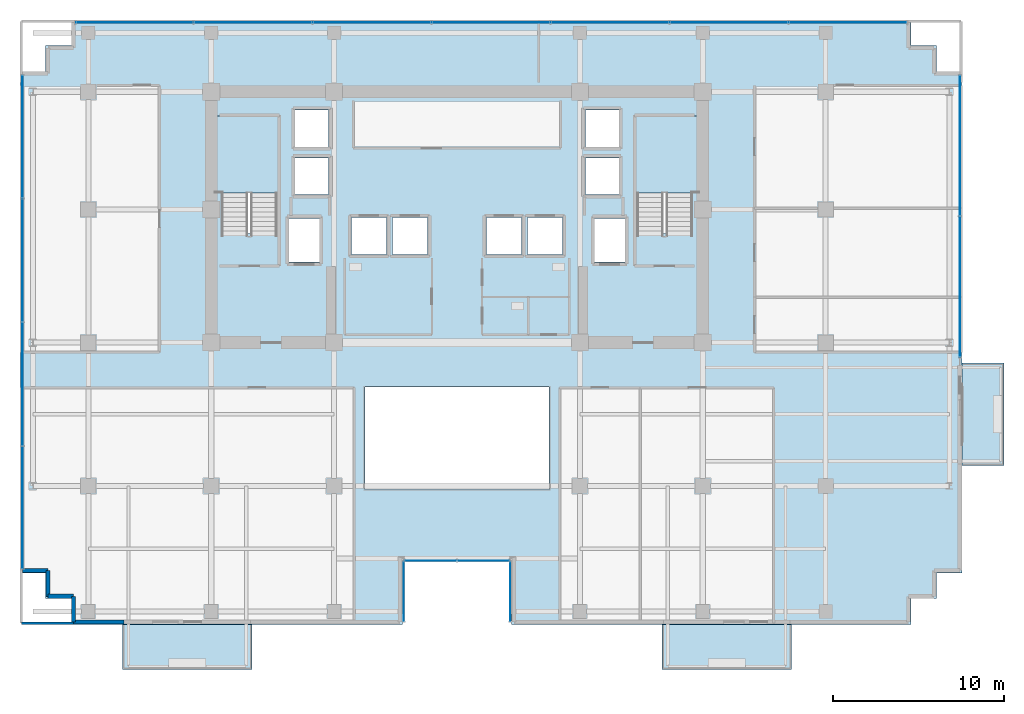
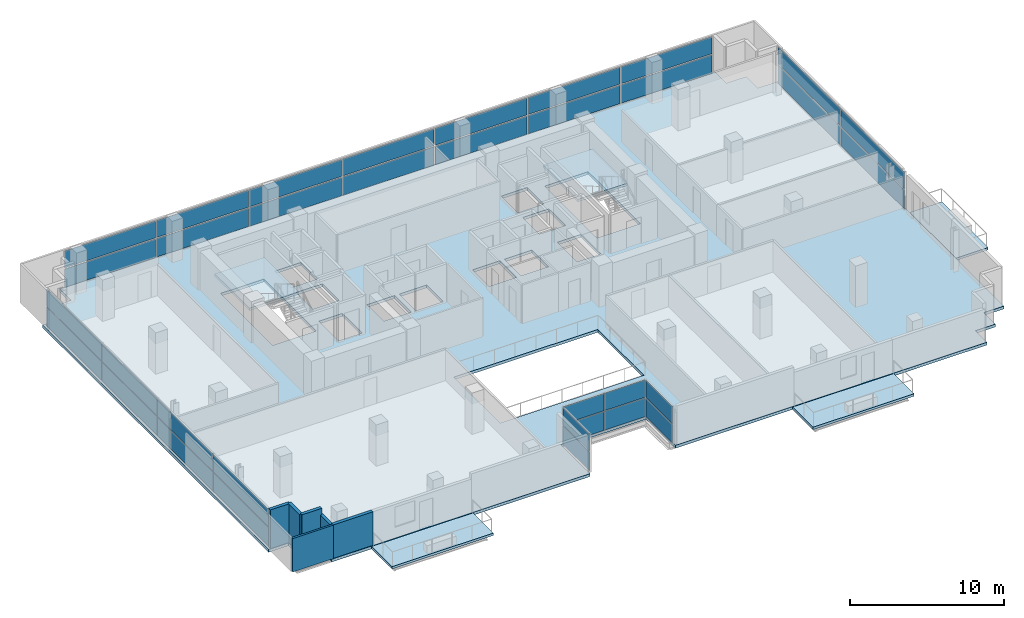
# One storey, part 16 of 25: 34 plates, 6 slabs, 6 walls, 8 elements without a shape of their own.
"""IFC4 building model written with IfcOpenShell, lengths in metres."""

from ifc_helpers import new_model, si_unit, direction, frame, frame_2d, origin, origin_2d, place, context, subcontext, project, spatial, polyline, rectangle, outline, extrude, source, transform, mapped, material, layer, layer_set, type_object, element, aggregate, save


model = new_model("IFC4")

# Units and contexts
model_context = context("Model", 3, precision=1e-05, world=origin(), true_north=direction((0.0, 1.0)))
body_context = subcontext(model_context, "Body", "Model", "MODEL_VIEW")
ifc_project = project(units=[si_unit("LENGTHUNIT", "METRE"), si_unit("AREAUNIT", "SQUARE_METRE"), si_unit("VOLUMEUNIT", "CUBIC_METRE"), si_unit("PLANEANGLEUNIT", "RADIAN"), si_unit("MASSUNIT", "GRAM", prefix="KILO")], contexts=[model_context])

# Site, building, storey
site_placement = place(None, origin())
site = spatial("IfcSite", under=ifc_project, at=site_placement, CompositionType="ELEMENT")
building_placement = place(site_placement, origin())
building = spatial("IfcBuilding", under=site, at=building_placement, Name="Zarnakvel Exchange Tower", CompositionType="ELEMENT")
storey_placement = place(building_placement, frame((0.0, 0.0, 126.39990234375)))
storey = spatial("IfcBuildingStorey", under=building, at=storey_placement, Name="L35", CompositionType="ELEMENT", Elevation=126.39990234375)

# Stair, slab
ifc_material_1 = material(Name="Concrete C40/50", Category="concrete")
stair_type = type_object("IfcStairType", Name="STR-01", PredefinedType="HALF_TURN_STAIR", material=ifc_material_1)
stair_1_placement = place(storey_placement, origin())
stair_1 = element("IfcStair", 1, at=stair_1_placement, inside=storey, type_object=stair_type, Name="L35 Protected Core Exit Stair ST-01", PredefinedType="HALF_TURN_STAIR")
ifc_layer_1 = layer(ifc_material_1, 0.199951171875)
ifc_layer_set_1 = layer_set([ifc_layer_1], Name="Concrete C40/50")
slab_type_1 = type_object("IfcSlabType", Name="LDG-01", PredefinedType="LANDING", material=ifc_layer_set_1)
slab_1_placement = place(storey_placement, frame((0.0, 0.0, 1.4501953125)))
slab_1 = element("IfcSlab", 2, at=slab_1_placement, type_object=slab_type_1, Name="ST-01 landing 1", PredefinedType="LANDING", context=body_context, shape_type="SweptSolid", body=[
    extrude(outline(polyline([(-14.18994140625, 7.570068359375), (-10.4599609375, 7.570068359375), (-10.4599609375, 12.080078125), (-14.18994140625, 12.080078125), (-14.18994140625, 7.570068359375)])), origin(), (0.0, 0.0, 1.0), 0.199951171875),
])
aggregate(stair_1, [slab_1])

stair_2_placement = place(storey_placement, origin())
stair_2 = element("IfcStair", 3, at=stair_2_placement, inside=storey, type_object=stair_type, Name="L35 Protected Core Exit Stair ST-02", PredefinedType="HALF_TURN_STAIR")
slab_2_placement = place(storey_placement, frame((0.0, 0.0, 1.4501953125)))
slab_2 = element("IfcSlab", 4, at=slab_2_placement, type_object=slab_type_1, Name="ST-02 landing 1", PredefinedType="LANDING", context=body_context, shape_type="SweptSolid", body=[
    extrude(outline(polyline([(10.4599609375, 7.570068359375), (14.18994140625, 7.570068359375), (14.18994140625, 12.080078125), (10.4599609375, 12.080078125), (10.4599609375, 7.570068359375)])), origin(), (0.0, 0.0, 1.0), 0.199951171875),
])
aggregate(stair_2, [slab_2])

# Slabs
ifc_layer_2 = layer(ifc_material_1, 0.22509765625)
ifc_layer_set_2 = layer_set([ifc_layer_2], Name="Concrete C40/50")
slab_type_2 = type_object("IfcSlabType", Name="SL-04", PredefinedType="FLOOR", material=ifc_layer_set_2)
slab_3_placement = place(storey_placement, frame((0.0, 0.0, -0.224853515625)))
element("IfcSlab", 5, at=slab_3_placement, inside=storey, type_object=slab_type_2, Name="L35 Primary Structural Floor Slab", PredefinedType="FLOOR", context=body_context, shape_type="SweptSolid", body=[
    extrude(outline(polyline([(-25.60009765625, -14.699951171875), (-24.10009765625, -14.699951171875), (-24.10009765625, -16.199951171875), (-22.60009765625, -16.199951171875), (-22.60009765625, -17.699951171875), (-3.199951171875, -17.699951171875), (-3.199951171875, -13.89990234375), (3.199951171875, -13.89990234375), (3.199951171875, -17.699951171875), (26.60009765625, -17.699951171875), (26.60009765625, -16.199951171875), (28.10009765625, -16.199951171875), (28.10009765625, -14.699951171875), (29.60009765625, -14.699951171875), (29.60009765625, 14.699951171875), (28.10009765625, 14.699951171875), (28.10009765625, 16.199951171875), (26.60009765625, 16.199951171875), (26.60009765625, 17.699951171875), (-22.60009765625, 17.699951171875), (-22.60009765625, 16.199951171875), (-24.10009765625, 16.199951171875), (-24.10009765625, 14.699951171875), (-25.60009765625, 14.699951171875), (-25.60009765625, -14.699951171875)]), holes=[polyline([(-5.39990234375, -9.800048828125), (5.39990234375, -9.800048828125), (5.39990234375, -3.800048828125), (-5.39990234375, -3.800048828125), (-5.39990234375, -9.800048828125)]), polyline([(-13.800048828125, 5.2099609375), (-10.5400390625, 5.2099609375), (-10.5400390625, 12.0), (-13.800048828125, 12.0), (-13.800048828125, 5.2099609375)]), polyline([(10.5400390625, 5.2099609375), (13.800048828125, 5.2099609375), (13.800048828125, 12.0), (10.5400390625, 12.0), (10.5400390625, 5.2099609375)]), polyline([(-9.830078125, 3.52001953125), (-8.070068359375, 3.52001953125), (-8.070068359375, 6.080078125), (-9.830078125, 6.080078125), (-9.830078125, 3.52001953125)]), polyline([(8.070068359375, 3.52001953125), (9.830078125, 3.52001953125), (9.830078125, 6.080078125), (8.070068359375, 6.080078125), (8.070068359375, 3.52001953125)]), polyline([(-6.179931640625, 3.969970703125), (-4.1201171875, 3.969970703125), (-4.1201171875, 6.1298828125), (-6.179931640625, 6.1298828125), (-6.179931640625, 3.969970703125)]), polyline([(-3.780029296875, 3.969970703125), (-1.719970703125, 3.969970703125), (-1.719970703125, 6.1298828125), (-3.780029296875, 6.1298828125), (-3.780029296875, 3.969970703125)]), polyline([(1.719970703125, 3.969970703125), (3.780029296875, 3.969970703125), (3.780029296875, 6.1298828125), (1.719970703125, 6.1298828125), (1.719970703125, 3.969970703125)]), polyline([(4.1201171875, 3.969970703125), (6.179931640625, 3.969970703125), (6.179931640625, 6.1298828125), (4.1201171875, 6.1298828125), (4.1201171875, 3.969970703125)]), polyline([(-9.47998046875, 7.469970703125), (-7.52001953125, 7.469970703125), (-7.52001953125, 9.6298828125), (-9.47998046875, 9.6298828125), (-9.47998046875, 7.469970703125)]), polyline([(-9.47998046875, 10.27001953125), (-7.52001953125, 10.27001953125), (-7.52001953125, 12.429931640625), (-9.47998046875, 12.429931640625), (-9.47998046875, 10.27001953125)]), polyline([(7.52001953125, 7.469970703125), (9.47998046875, 7.469970703125), (9.47998046875, 9.6298828125), (7.52001953125, 9.6298828125), (7.52001953125, 7.469970703125)]), polyline([(7.52001953125, 10.27001953125), (9.47998046875, 10.27001953125), (9.47998046875, 12.429931640625), (7.52001953125, 12.429931640625), (7.52001953125, 10.27001953125)])]), origin(), (0.0, 0.0, 1.0), 0.224853515625),
])
ifc_layer_3 = layer(ifc_material_1, 0.18994140625)
ifc_layer_set_3 = layer_set([ifc_layer_3], Name="Concrete C40/50")
slab_type_3 = type_object("IfcSlabType", Name="SL-08", PredefinedType="USERDEFINED", material=ifc_layer_set_3)
slab_4_placement = place(storey_placement, frame((0.0, 0.0, -0.224853515625)))
element("IfcSlab", 6, at=slab_4_placement, inside=storey, type_object=slab_type_3, Name="L35 Planted Loggia Balcony Slab BAL-L35-SW", ObjectType="BALCONY", PredefinedType="USERDEFINED", context=body_context, shape_type="SweptSolid", body=[
    extrude(outline(polyline([(-19.60009765625, -20.35009765625), (-12.0, -20.35009765625), (-12.0, -17.699951171875), (-19.60009765625, -17.699951171875), (-19.60009765625, -20.35009765625)])), origin(), (0.0, 0.0, 1.0), 0.18994140625),
])
slab_5_placement = place(storey_placement, frame((0.0, 0.0, -0.224853515625)))
element("IfcSlab", 7, at=slab_5_placement, inside=storey, type_object=slab_type_3, Name="L35 Planted Loggia Balcony Slab BAL-L35-SE", ObjectType="BALCONY", PredefinedType="USERDEFINED", context=body_context, shape_type="SweptSolid", body=[
    extrude(outline(polyline([(12.0, -20.35009765625), (19.60009765625, -20.35009765625), (19.60009765625, -17.699951171875), (12.0, -17.699951171875), (12.0, -20.35009765625)])), origin(), (0.0, 0.0, 1.0), 0.18994140625),
])
slab_6_placement = place(storey_placement, frame((0.0, 0.0, -0.224853515625)))
element("IfcSlab", 8, at=slab_6_placement, inside=storey, type_object=slab_type_3, Name="L35 Planted Loggia Balcony Slab BAL-L35-E", ObjectType="BALCONY", PredefinedType="USERDEFINED", context=body_context, shape_type="SweptSolid", body=[
    extrude(outline(polyline([(29.60009765625, -8.39990234375), (32.050048828125, -8.39990234375), (32.050048828125, -2.39990234375), (29.60009765625, -2.39990234375), (29.60009765625, -8.39990234375)])), origin(), (0.0, 0.0, 1.0), 0.18994140625),
])

# Curtain wall, plate
ifc_material_2 = material(Name="Architectural Bronze Anodised Aluminium", Category="aluminium")
ifc_layer_4 = layer(ifc_material_2, 0.179931640625)
ifc_layer_set_4 = layer_set([ifc_layer_4], Name="Architectural Bronze Anodised Aluminium")
curtain_wall_type_1 = type_object("IfcCurtainWallType", Name="CW-05", PredefinedType="NOTDEFINED", material=ifc_layer_set_4)
curtain_wall_1_placement = place(storey_placement, origin())
curtain_wall_1 = element("IfcCurtainWall", 9, at=curtain_wall_1_placement, inside=storey, type_object=curtain_wall_type_1, Name="L35 Curtain Wall CW-L35-SLW (CW-05)", PredefinedType="NOTDEFINED")
ifc_material_3 = material(Name="Double Low-E Laminated Vision Glass", Category="glass")
ifc_layer_5 = layer(ifc_material_3, 0.02587890625)
ifc_layer_set_5 = layer_set([ifc_layer_5], Name="Double Low-E Laminated Vision Glass")
plate_type_1 = type_object("IfcPlateType", Name="CWP-05", PredefinedType="CURTAIN_PANEL", material=ifc_layer_set_5)
shared_shape_1 = source(origin(), body_context, "Body", "SweptSolid", [
    extrude(rectangle(XDim=3.4599609375, YDim=0.02587890625, at=origin_2d()), origin(), (0.0, 0.0, 1.0), 1.483642578125),
])
plate_1_placement = place(storey_placement, frame((-3.1201171875, -15.780029296875, 0.0703125), z_axis=(0.0, 0.0, 1.0), x_axis=(0.0, 1.0, 0.0)))
plate_1 = element("IfcPlate", 10, at=plate_1_placement, type_object=plate_type_1, Name="CW-05 panel 1.1", PredefinedType="CURTAIN_PANEL", context=body_context, shape_type="MappedRepresentation", body=[
    mapped(shared_shape_1, transform((0.0, 0.0, 0.0), x_axis=(1.0, 0.0, 0.0), y_axis=(0.0, 1.0, 0.0), z_axis=(0.0, 0.0, 1.0), scale=1.0)),
])

curtain_wall_2_placement = place(storey_placement, origin())
curtain_wall_2 = element("IfcCurtainWall", 11, at=curtain_wall_2_placement, inside=storey, type_object=curtain_wall_type_1, Name="L35 Curtain Wall CW-L35-SLE (CW-05)", PredefinedType="NOTDEFINED")
plate_2_placement = place(storey_placement, frame((3.1201171875, -15.780029296875, 0.0703125), z_axis=(0.0, 0.0, 1.0), x_axis=(0.0, -1.0, 0.0)))
plate_2 = element("IfcPlate", 12, at=plate_2_placement, type_object=plate_type_1, Name="CW-05 panel 1.1", PredefinedType="CURTAIN_PANEL", context=body_context, shape_type="MappedRepresentation", body=[
    mapped(shared_shape_1, transform((0.0, 0.0, 0.0), x_axis=(1.0, 0.0, 0.0), y_axis=(0.0, 1.0, 0.0), z_axis=(0.0, 0.0, 1.0), scale=1.0)),
])

# Plate
shared_shape_2 = source(origin(), body_context, "Body", "SweptSolid", [
    extrude(rectangle(XDim=3.4599609375, YDim=0.02587890625, at=origin_2d()), origin(), (0.0, 0.0, 1.0), 1.361328125),
])
plate_3_placement = place(storey_placement, frame((-3.1201171875, -15.780029296875, 1.623779296875), z_axis=(0.0, 0.0, 1.0), x_axis=(0.0, 1.0, 0.0)))
plate_3 = element("IfcPlate", 13, at=plate_3_placement, type_object=plate_type_1, Name="CW-05 panel 1.2", PredefinedType="CURTAIN_PANEL", context=body_context, shape_type="MappedRepresentation", body=[
    mapped(shared_shape_2, transform((0.0, 0.0, 0.0), x_axis=(1.0, 0.0, 0.0), y_axis=(0.0, 1.0, 0.0), z_axis=(0.0, 0.0, 1.0), scale=1.0)),
])

aggregate(curtain_wall_1, [plate_1, plate_3])

plate_4_placement = place(storey_placement, frame((3.1201171875, -15.780029296875, 1.623779296875), z_axis=(0.0, 0.0, 1.0), x_axis=(0.0, -1.0, 0.0)))
plate_4 = element("IfcPlate", 14, at=plate_4_placement, type_object=plate_type_1, Name="CW-05 panel 1.2", PredefinedType="CURTAIN_PANEL", context=body_context, shape_type="MappedRepresentation", body=[
    mapped(shared_shape_2, transform((0.0, 0.0, 0.0), x_axis=(1.0, 0.0, 0.0), y_axis=(0.0, 1.0, 0.0), z_axis=(0.0, 0.0, 1.0), scale=1.0)),
])

aggregate(curtain_wall_2, [plate_2, plate_4])

# Curtain wall, plates
curtain_wall_3_placement = place(storey_placement, origin())
curtain_wall_3 = element("IfcCurtainWall", 15, at=curtain_wall_3_placement, inside=storey, type_object=curtain_wall_type_1, Name="L35 Curtain Wall CW-L35-SLB (CW-05)", PredefinedType="NOTDEFINED")
shared_shape_3 = source(origin(), body_context, "Body", "SweptSolid", [
    extrude(rectangle(XDim=3.014892578125, YDim=0.02587890625, at=origin_2d()), origin(), (0.0, 0.0, 1.0), 1.483642578125),
])
plate_5_placement = place(storey_placement, frame((-1.54248046875, -13.97998046875, 0.0703125), z_axis=(0.0, 0.0, 1.0), x_axis=(1.0, 0.0, 0.0)))
plate_5 = element("IfcPlate", 16, at=plate_5_placement, type_object=plate_type_1, Name="CW-05 panel 1.1", PredefinedType="CURTAIN_PANEL", context=body_context, shape_type="MappedRepresentation", body=[
    mapped(shared_shape_3, transform((0.0, 0.0, 0.0), x_axis=(1.0, 0.0, 0.0), y_axis=(0.0, 1.0, 0.0), z_axis=(0.0, 0.0, 1.0), scale=1.0)),
])
plate_6_placement = place(storey_placement, frame((1.54248046875, -13.97998046875, 0.0703125), z_axis=(0.0, 0.0, 1.0), x_axis=(1.0, 0.0, 0.0)))
plate_6 = element("IfcPlate", 17, at=plate_6_placement, type_object=plate_type_1, Name="CW-05 panel 2.1", PredefinedType="CURTAIN_PANEL", context=body_context, shape_type="MappedRepresentation", body=[
    mapped(shared_shape_3, transform((0.0, 0.0, 0.0), x_axis=(1.0, 0.0, 0.0), y_axis=(0.0, 1.0, 0.0), z_axis=(0.0, 0.0, 1.0), scale=1.0)),
])
shared_shape_4 = source(origin(), body_context, "Body", "SweptSolid", [
    extrude(rectangle(XDim=3.014892578125, YDim=0.02587890625, at=origin_2d()), origin(), (0.0, 0.0, 1.0), 1.361328125),
])
plate_7_placement = place(storey_placement, frame((-1.54248046875, -13.97998046875, 1.623779296875), z_axis=(0.0, 0.0, 1.0), x_axis=(1.0, 0.0, 0.0)))
plate_7 = element("IfcPlate", 18, at=plate_7_placement, type_object=plate_type_1, Name="CW-05 panel 1.2", PredefinedType="CURTAIN_PANEL", context=body_context, shape_type="MappedRepresentation", body=[
    mapped(shared_shape_4, transform((0.0, 0.0, 0.0), x_axis=(1.0, 0.0, 0.0), y_axis=(0.0, 1.0, 0.0), z_axis=(0.0, 0.0, 1.0), scale=1.0)),
])
plate_8_placement = place(storey_placement, frame((1.54248046875, -13.97998046875, 1.623779296875), z_axis=(0.0, 0.0, 1.0), x_axis=(1.0, 0.0, 0.0)))
plate_8 = element("IfcPlate", 19, at=plate_8_placement, type_object=plate_type_1, Name="CW-05 panel 2.2", PredefinedType="CURTAIN_PANEL", context=body_context, shape_type="MappedRepresentation", body=[
    mapped(shared_shape_4, transform((0.0, 0.0, 0.0), x_axis=(1.0, 0.0, 0.0), y_axis=(0.0, 1.0, 0.0), z_axis=(0.0, 0.0, 1.0), scale=1.0)),
])
aggregate(curtain_wall_3, [plate_5, plate_7, plate_6, plate_8])

ifc_layer_6 = layer(ifc_material_2, 0.199951171875)
ifc_layer_set_6 = layer_set([ifc_layer_6], Name="Architectural Bronze Anodised Aluminium")
curtain_wall_type_2 = type_object("IfcCurtainWallType", Name="CW-04", PredefinedType="NOTDEFINED", material=ifc_layer_set_6)
curtain_wall_4_placement = place(storey_placement, origin())
curtain_wall_4 = element("IfcCurtainWall", 20, at=curtain_wall_4_placement, inside=storey, type_object=curtain_wall_type_2, Name="L35 Curtain Wall CW-L35-W1 (CW-04)", PredefinedType="NOTDEFINED")
ifc_layer_7 = layer(ifc_material_3, 0.028076171875)
ifc_layer_set_7 = layer_set([ifc_layer_7], Name="Double Low-E Laminated Vision Glass")
plate_type_2 = type_object("IfcPlateType", Name="CWP-04", PredefinedType="CURTAIN_PANEL", material=ifc_layer_set_7)
shared_shape_5 = source(origin(), body_context, "Body", "SweptSolid", [
    extrude(rectangle(XDim=7.137451171875, YDim=0.028076171875, at=origin_2d()), origin(), (0.0, 0.0, 1.0), 1.47607421875),
])
plate_9_placement = place(storey_placement, frame((-25.4599609375, -10.856201171875, 0.0751953125), z_axis=(0.0, 0.0, 1.0), x_axis=(0.0, 1.0, 0.0)))
plate_9 = element("IfcPlate", 21, at=plate_9_placement, type_object=plate_type_2, Name="CW-04 panel 1.1", PredefinedType="CURTAIN_PANEL", context=body_context, shape_type="MappedRepresentation", body=[
    mapped(shared_shape_5, transform((0.0, 0.0, 0.0), x_axis=(1.0, 0.0, 0.0), y_axis=(0.0, 1.0, 0.0), z_axis=(0.0, 0.0, 1.0), scale=1.0)),
])
plate_10_placement = place(storey_placement, frame((-25.4599609375, 10.856201171875, 0.0751953125), z_axis=(0.0, 0.0, 1.0), x_axis=(0.0, 1.0, 0.0)))
plate_10 = element("IfcPlate", 22, at=plate_10_placement, type_object=plate_type_2, Name="CW-04 panel 4.1", PredefinedType="CURTAIN_PANEL", context=body_context, shape_type="MappedRepresentation", body=[
    mapped(shared_shape_5, transform((0.0, 0.0, 0.0), x_axis=(1.0, 0.0, 0.0), y_axis=(0.0, 1.0, 0.0), z_axis=(0.0, 0.0, 1.0), scale=1.0)),
])
shared_shape_6 = source(origin(), body_context, "Body", "SweptSolid", [
    extrude(rectangle(XDim=7.137451171875, YDim=0.028076171875, at=origin_2d()), origin(), (0.0, 0.0, 1.0), 1.35400390625),
])
plate_11_placement = place(storey_placement, frame((-25.4599609375, -10.856201171875, 1.626220703125), z_axis=(0.0, 0.0, 1.0), x_axis=(0.0, 1.0, 0.0)))
plate_11 = element("IfcPlate", 23, at=plate_11_placement, type_object=plate_type_2, Name="CW-04 panel 1.2", PredefinedType="CURTAIN_PANEL", context=body_context, shape_type="MappedRepresentation", body=[
    mapped(shared_shape_6, transform((0.0, 0.0, 0.0), x_axis=(1.0, 0.0, 0.0), y_axis=(0.0, 1.0, 0.0), z_axis=(0.0, 0.0, 1.0), scale=1.0)),
])
plate_12_placement = place(storey_placement, frame((-25.4599609375, 10.856201171875, 1.626220703125), z_axis=(0.0, 0.0, 1.0), x_axis=(0.0, 1.0, 0.0)))
plate_12 = element("IfcPlate", 24, at=plate_12_placement, type_object=plate_type_2, Name="CW-04 panel 4.2", PredefinedType="CURTAIN_PANEL", context=body_context, shape_type="MappedRepresentation", body=[
    mapped(shared_shape_6, transform((0.0, 0.0, 0.0), x_axis=(1.0, 0.0, 0.0), y_axis=(0.0, 1.0, 0.0), z_axis=(0.0, 0.0, 1.0), scale=1.0)),
])
shared_shape_7 = source(origin(), body_context, "Body", "SweptSolid", [
    extrude(rectangle(XDim=7.175048828125, YDim=0.028076171875, at=origin_2d()), origin(), (0.0, 0.0, 1.0), 1.47607421875),
])
plate_13_placement = place(storey_placement, frame((-25.4599609375, -3.625, 0.0751953125), z_axis=(0.0, 0.0, 1.0), x_axis=(0.0, 1.0, 0.0)))
plate_13 = element("IfcPlate", 25, at=plate_13_placement, type_object=plate_type_2, Name="CW-04 panel 2.1", PredefinedType="CURTAIN_PANEL", context=body_context, shape_type="MappedRepresentation", body=[
    mapped(shared_shape_7, transform((0.0, 0.0, 0.0), x_axis=(1.0, 0.0, 0.0), y_axis=(0.0, 1.0, 0.0), z_axis=(0.0, 0.0, 1.0), scale=1.0)),
])
plate_14_placement = place(storey_placement, frame((-25.4599609375, 3.625, 0.0751953125), z_axis=(0.0, 0.0, 1.0), x_axis=(0.0, 1.0, 0.0)))
plate_14 = element("IfcPlate", 26, at=plate_14_placement, type_object=plate_type_2, Name="CW-04 panel 3.1", PredefinedType="CURTAIN_PANEL", context=body_context, shape_type="MappedRepresentation", body=[
    mapped(shared_shape_7, transform((0.0, 0.0, 0.0), x_axis=(1.0, 0.0, 0.0), y_axis=(0.0, 1.0, 0.0), z_axis=(0.0, 0.0, 1.0), scale=1.0)),
])
shared_shape_8 = source(origin(), body_context, "Body", "SweptSolid", [
    extrude(rectangle(XDim=7.175048828125, YDim=0.028076171875, at=origin_2d()), origin(), (0.0, 0.0, 1.0), 1.35400390625),
])
plate_15_placement = place(storey_placement, frame((-25.4599609375, -3.625, 1.626220703125), z_axis=(0.0, 0.0, 1.0), x_axis=(0.0, 1.0, 0.0)))
plate_15 = element("IfcPlate", 27, at=plate_15_placement, type_object=plate_type_2, Name="CW-04 panel 2.2", PredefinedType="CURTAIN_PANEL", context=body_context, shape_type="MappedRepresentation", body=[
    mapped(shared_shape_8, transform((0.0, 0.0, 0.0), x_axis=(1.0, 0.0, 0.0), y_axis=(0.0, 1.0, 0.0), z_axis=(0.0, 0.0, 1.0), scale=1.0)),
])
plate_16_placement = place(storey_placement, frame((-25.4599609375, 3.625, 1.626220703125), z_axis=(0.0, 0.0, 1.0), x_axis=(0.0, 1.0, 0.0)))
plate_16 = element("IfcPlate", 28, at=plate_16_placement, type_object=plate_type_2, Name="CW-04 panel 3.2", PredefinedType="CURTAIN_PANEL", context=body_context, shape_type="MappedRepresentation", body=[
    mapped(shared_shape_8, transform((0.0, 0.0, 0.0), x_axis=(1.0, 0.0, 0.0), y_axis=(0.0, 1.0, 0.0), z_axis=(0.0, 0.0, 1.0), scale=1.0)),
])
aggregate(curtain_wall_4, [plate_9, plate_11, plate_13, plate_15, plate_14, plate_16, plate_10, plate_12])

curtain_wall_5_placement = place(storey_placement, origin())
curtain_wall_5 = element("IfcCurtainWall", 29, at=curtain_wall_5_placement, inside=storey, type_object=curtain_wall_type_2, Name="L35 Curtain Wall CW-L35-EN (CW-04)", PredefinedType="NOTDEFINED")
shared_shape_9 = source(origin(), body_context, "Body", "SweptSolid", [
    extrude(rectangle(XDim=8.1875, YDim=0.028076171875, at=origin_2d()), origin(), (0.0, 0.0, 1.0), 1.47607421875),
])
plate_17_placement = place(storey_placement, frame((29.4599609375, 2.06884765625, 0.0751953125), z_axis=(0.0, 0.0, 1.0), x_axis=(0.0, 1.0, 0.0)))
plate_17 = element("IfcPlate", 30, at=plate_17_placement, type_object=plate_type_2, Name="CW-04 panel 1.1", PredefinedType="CURTAIN_PANEL", context=body_context, shape_type="MappedRepresentation", body=[
    mapped(shared_shape_9, transform((0.0, 0.0, 0.0), x_axis=(1.0, 0.0, 0.0), y_axis=(0.0, 1.0, 0.0), z_axis=(0.0, 0.0, 1.0), scale=1.0)),
])
plate_18_placement = place(storey_placement, frame((29.4599609375, 10.331298828125, 0.0751953125), z_axis=(0.0, 0.0, 1.0), x_axis=(0.0, 1.0, 0.0)))
plate_18 = element("IfcPlate", 31, at=plate_18_placement, type_object=plate_type_2, Name="CW-04 panel 2.1", PredefinedType="CURTAIN_PANEL", context=body_context, shape_type="MappedRepresentation", body=[
    mapped(shared_shape_9, transform((0.0, 0.0, 0.0), x_axis=(1.0, 0.0, 0.0), y_axis=(0.0, 1.0, 0.0), z_axis=(0.0, 0.0, 1.0), scale=1.0)),
])
shared_shape_10 = source(origin(), body_context, "Body", "SweptSolid", [
    extrude(rectangle(XDim=8.1875, YDim=0.028076171875, at=origin_2d()), origin(), (0.0, 0.0, 1.0), 1.35400390625),
])
plate_19_placement = place(storey_placement, frame((29.4599609375, 2.06884765625, 1.626220703125), z_axis=(0.0, 0.0, 1.0), x_axis=(0.0, 1.0, 0.0)))
plate_19 = element("IfcPlate", 32, at=plate_19_placement, type_object=plate_type_2, Name="CW-04 panel 1.2", PredefinedType="CURTAIN_PANEL", context=body_context, shape_type="MappedRepresentation", body=[
    mapped(shared_shape_10, transform((0.0, 0.0, 0.0), x_axis=(1.0, 0.0, 0.0), y_axis=(0.0, 1.0, 0.0), z_axis=(0.0, 0.0, 1.0), scale=1.0)),
])
plate_20_placement = place(storey_placement, frame((29.4599609375, 10.331298828125, 1.626220703125), z_axis=(0.0, 0.0, 1.0), x_axis=(0.0, 1.0, 0.0)))
plate_20 = element("IfcPlate", 33, at=plate_20_placement, type_object=plate_type_2, Name="CW-04 panel 2.2", PredefinedType="CURTAIN_PANEL", context=body_context, shape_type="MappedRepresentation", body=[
    mapped(shared_shape_10, transform((0.0, 0.0, 0.0), x_axis=(1.0, 0.0, 0.0), y_axis=(0.0, 1.0, 0.0), z_axis=(0.0, 0.0, 1.0), scale=1.0)),
])
aggregate(curtain_wall_5, [plate_17, plate_19, plate_18, plate_20])

ifc_layer_8 = layer(ifc_material_2, 0.239990234375)
ifc_layer_set_8 = layer_set([ifc_layer_8], Name="Architectural Bronze Anodised Aluminium")
curtain_wall_type_3 = type_object("IfcCurtainWallType", Name="CW-02", PredefinedType="NOTDEFINED", material=ifc_layer_set_8)
curtain_wall_6_placement = place(storey_placement, origin())
curtain_wall_6 = element("IfcCurtainWall", 34, at=curtain_wall_6_placement, inside=storey, type_object=curtain_wall_type_3, Name="L35 Curtain Wall CW-L35-N1 (CW-02)", PredefinedType="NOTDEFINED")
ifc_layer_9 = layer(ifc_material_3, 0.031982421875)
ifc_layer_set_9 = layer_set([ifc_layer_9], Name="Double Low-E Laminated Vision Glass")
plate_type_3 = type_object("IfcPlateType", Name="CWP-02", PredefinedType="CURTAIN_PANEL", material=ifc_layer_set_9)
shared_shape_11 = source(origin(), body_context, "Body", "SweptSolid", [
    extrude(rectangle(XDim=6.83642578125, YDim=0.031982421875, at=origin_2d()), origin(), (0.0, 0.0, 1.0), 1.461181640625),
])
plate_21_placement = place(storey_placement, frame((-18.891845703125, 17.56005859375, 0.0849609375), z_axis=(0.0, 0.0, 1.0), x_axis=(1.0, 0.0, 0.0)))
plate_21 = element("IfcPlate", 35, at=plate_21_placement, type_object=plate_type_3, Name="CW-02 panel 1.1", PredefinedType="CURTAIN_PANEL", context=body_context, shape_type="MappedRepresentation", body=[
    mapped(shared_shape_11, transform((0.0, 0.0, 0.0), x_axis=(1.0, 0.0, 0.0), y_axis=(0.0, 1.0, 0.0), z_axis=(0.0, 0.0, 1.0), scale=1.0)),
])
plate_22_placement = place(storey_placement, frame((22.891845703125, 17.56005859375, 0.0849609375), z_axis=(0.0, 0.0, 1.0), x_axis=(1.0, 0.0, 0.0)))
plate_22 = element("IfcPlate", 36, at=plate_22_placement, type_object=plate_type_3, Name="CW-02 panel 7.1", PredefinedType="CURTAIN_PANEL", context=body_context, shape_type="MappedRepresentation", body=[
    mapped(shared_shape_11, transform((0.0, 0.0, 0.0), x_axis=(1.0, 0.0, 0.0), y_axis=(0.0, 1.0, 0.0), z_axis=(0.0, 0.0, 1.0), scale=1.0)),
])
shared_shape_12 = source(origin(), body_context, "Body", "SweptSolid", [
    extrude(rectangle(XDim=6.83642578125, YDim=0.031982421875, at=origin_2d()), origin(), (0.0, 0.0, 1.0), 1.3388671875),
])
plate_23_placement = place(storey_placement, frame((-18.891845703125, 17.56005859375, 1.631103515625), z_axis=(0.0, 0.0, 1.0), x_axis=(1.0, 0.0, 0.0)))
plate_23 = element("IfcPlate", 37, at=plate_23_placement, type_object=plate_type_3, Name="CW-02 panel 1.2", PredefinedType="CURTAIN_PANEL", context=body_context, shape_type="MappedRepresentation", body=[
    mapped(shared_shape_12, transform((0.0, 0.0, 0.0), x_axis=(1.0, 0.0, 0.0), y_axis=(0.0, 1.0, 0.0), z_axis=(0.0, 0.0, 1.0), scale=1.0)),
])
plate_24_placement = place(storey_placement, frame((22.891845703125, 17.56005859375, 1.631103515625), z_axis=(0.0, 0.0, 1.0), x_axis=(1.0, 0.0, 0.0)))
plate_24 = element("IfcPlate", 38, at=plate_24_placement, type_object=plate_type_3, Name="CW-02 panel 7.2", PredefinedType="CURTAIN_PANEL", context=body_context, shape_type="MappedRepresentation", body=[
    mapped(shared_shape_12, transform((0.0, 0.0, 0.0), x_axis=(1.0, 0.0, 0.0), y_axis=(0.0, 1.0, 0.0), z_axis=(0.0, 0.0, 1.0), scale=1.0)),
])
shared_shape_13 = source(origin(), body_context, "Body", "SweptSolid", [
    extrude(rectangle(XDim=6.88134765625, YDim=0.031982421875, at=origin_2d()), origin(), (0.0, 0.0, 1.0), 1.461181640625),
])
plate_25_placement = place(storey_placement, frame((-11.94287109375, 17.56005859375, 0.0849609375), z_axis=(0.0, 0.0, 1.0), x_axis=(1.0, 0.0, 0.0)))
plate_25 = element("IfcPlate", 39, at=plate_25_placement, type_object=plate_type_3, Name="CW-02 panel 2.1", PredefinedType="CURTAIN_PANEL", context=body_context, shape_type="MappedRepresentation", body=[
    mapped(shared_shape_13, transform((0.0, 0.0, 0.0), x_axis=(1.0, 0.0, 0.0), y_axis=(0.0, 1.0, 0.0), z_axis=(0.0, 0.0, 1.0), scale=1.0)),
])
plate_26_placement = place(storey_placement, frame((-4.971435546875, 17.56005859375, 0.0849609375), z_axis=(0.0, 0.0, 1.0), x_axis=(1.0, 0.0, 0.0)))
plate_26 = element("IfcPlate", 40, at=plate_26_placement, type_object=plate_type_3, Name="CW-02 panel 3.1", PredefinedType="CURTAIN_PANEL", context=body_context, shape_type="MappedRepresentation", body=[
    mapped(shared_shape_13, transform((0.0, 0.0, 0.0), x_axis=(1.0, 0.0, 0.0), y_axis=(0.0, 1.0, 0.0), z_axis=(0.0, 0.0, 1.0), scale=1.0)),
])
plate_27_placement = place(storey_placement, frame((2.0, 17.56005859375, 0.0849609375), z_axis=(0.0, 0.0, 1.0), x_axis=(1.0, 0.0, 0.0)))
plate_27 = element("IfcPlate", 41, at=plate_27_placement, type_object=plate_type_3, Name="CW-02 panel 4.1", PredefinedType="CURTAIN_PANEL", context=body_context, shape_type="MappedRepresentation", body=[
    mapped(shared_shape_13, transform((0.0, 0.0, 0.0), x_axis=(1.0, 0.0, 0.0), y_axis=(0.0, 1.0, 0.0), z_axis=(0.0, 0.0, 1.0), scale=1.0)),
])
plate_28_placement = place(storey_placement, frame((8.971435546875, 17.56005859375, 0.0849609375), z_axis=(0.0, 0.0, 1.0), x_axis=(1.0, 0.0, 0.0)))
plate_28 = element("IfcPlate", 42, at=plate_28_placement, type_object=plate_type_3, Name="CW-02 panel 5.1", PredefinedType="CURTAIN_PANEL", context=body_context, shape_type="MappedRepresentation", body=[
    mapped(shared_shape_13, transform((0.0, 0.0, 0.0), x_axis=(1.0, 0.0, 0.0), y_axis=(0.0, 1.0, 0.0), z_axis=(0.0, 0.0, 1.0), scale=1.0)),
])
plate_29_placement = place(storey_placement, frame((15.94287109375, 17.56005859375, 0.0849609375), z_axis=(0.0, 0.0, 1.0), x_axis=(1.0, 0.0, 0.0)))
plate_29 = element("IfcPlate", 43, at=plate_29_placement, type_object=plate_type_3, Name="CW-02 panel 6.1", PredefinedType="CURTAIN_PANEL", context=body_context, shape_type="MappedRepresentation", body=[
    mapped(shared_shape_13, transform((0.0, 0.0, 0.0), x_axis=(1.0, 0.0, 0.0), y_axis=(0.0, 1.0, 0.0), z_axis=(0.0, 0.0, 1.0), scale=1.0)),
])
shared_shape_14 = source(origin(), body_context, "Body", "SweptSolid", [
    extrude(rectangle(XDim=6.88134765625, YDim=0.031982421875, at=origin_2d()), origin(), (0.0, 0.0, 1.0), 1.3388671875),
])
plate_30_placement = place(storey_placement, frame((-11.94287109375, 17.56005859375, 1.631103515625), z_axis=(0.0, 0.0, 1.0), x_axis=(1.0, 0.0, 0.0)))
plate_30 = element("IfcPlate", 44, at=plate_30_placement, type_object=plate_type_3, Name="CW-02 panel 2.2", PredefinedType="CURTAIN_PANEL", context=body_context, shape_type="MappedRepresentation", body=[
    mapped(shared_shape_14, transform((0.0, 0.0, 0.0), x_axis=(1.0, 0.0, 0.0), y_axis=(0.0, 1.0, 0.0), z_axis=(0.0, 0.0, 1.0), scale=1.0)),
])
plate_31_placement = place(storey_placement, frame((-4.971435546875, 17.56005859375, 1.631103515625), z_axis=(0.0, 0.0, 1.0), x_axis=(1.0, 0.0, 0.0)))
plate_31 = element("IfcPlate", 45, at=plate_31_placement, type_object=plate_type_3, Name="CW-02 panel 3.2", PredefinedType="CURTAIN_PANEL", context=body_context, shape_type="MappedRepresentation", body=[
    mapped(shared_shape_14, transform((0.0, 0.0, 0.0), x_axis=(1.0, 0.0, 0.0), y_axis=(0.0, 1.0, 0.0), z_axis=(0.0, 0.0, 1.0), scale=1.0)),
])
plate_32_placement = place(storey_placement, frame((2.0, 17.56005859375, 1.631103515625), z_axis=(0.0, 0.0, 1.0), x_axis=(1.0, 0.0, 0.0)))
plate_32 = element("IfcPlate", 46, at=plate_32_placement, type_object=plate_type_3, Name="CW-02 panel 4.2", PredefinedType="CURTAIN_PANEL", context=body_context, shape_type="MappedRepresentation", body=[
    mapped(shared_shape_14, transform((0.0, 0.0, 0.0), x_axis=(1.0, 0.0, 0.0), y_axis=(0.0, 1.0, 0.0), z_axis=(0.0, 0.0, 1.0), scale=1.0)),
])
plate_33_placement = place(storey_placement, frame((8.971435546875, 17.56005859375, 1.631103515625), z_axis=(0.0, 0.0, 1.0), x_axis=(1.0, 0.0, 0.0)))
plate_33 = element("IfcPlate", 47, at=plate_33_placement, type_object=plate_type_3, Name="CW-02 panel 5.2", PredefinedType="CURTAIN_PANEL", context=body_context, shape_type="MappedRepresentation", body=[
    mapped(shared_shape_14, transform((0.0, 0.0, 0.0), x_axis=(1.0, 0.0, 0.0), y_axis=(0.0, 1.0, 0.0), z_axis=(0.0, 0.0, 1.0), scale=1.0)),
])
plate_34_placement = place(storey_placement, frame((15.94287109375, 17.56005859375, 1.631103515625), z_axis=(0.0, 0.0, 1.0), x_axis=(1.0, 0.0, 0.0)))
plate_34 = element("IfcPlate", 48, at=plate_34_placement, type_object=plate_type_3, Name="CW-02 panel 6.2", PredefinedType="CURTAIN_PANEL", context=body_context, shape_type="MappedRepresentation", body=[
    mapped(shared_shape_14, transform((0.0, 0.0, 0.0), x_axis=(1.0, 0.0, 0.0), y_axis=(0.0, 1.0, 0.0), z_axis=(0.0, 0.0, 1.0), scale=1.0)),
])
aggregate(curtain_wall_6, [plate_21, plate_23, plate_25, plate_30, plate_26, plate_31, plate_27, plate_32, plate_28, plate_33, plate_29, plate_34, plate_22, plate_24])

# Walls
ifc_material_4 = material(Name="Precast concrete C40/50", Category="concrete")
ifc_layer_10 = layer(ifc_material_4, 0.239990234375)
ifc_layer_set_10 = layer_set([ifc_layer_10], Name="Precast concrete C40/50")
wall_type_1 = type_object("IfcWallType", Name="EW-02", PredefinedType="SOLIDWALL", material=ifc_layer_set_10)
wall_1_placement = place(storey_placement, frame((-22.4599609375, -17.56005859375, 0.0), z_axis=(0.0, 0.0, 1.0), x_axis=(1.0, 0.0, 0.0)))
element("IfcWall", 49, at=wall_1_placement, inside=storey, type_object=wall_type_1, Name="L35 Exterior Precast Spandrel Wall EWC-L35-22 (EW-02)", PredefinedType="SOLIDWALL", context=body_context, shape_type="SweptSolid", body=[
    extrude(rectangle(XDim=2.9599609375, YDim=0.239990234375, at=frame_2d((1.47998046875, 0.0))), origin(), (0.0, 0.0, 1.0), 2.6650390625),
])
wall_2_placement = place(storey_placement, frame((-22.4599609375, -16.06005859375, 0.0), z_axis=(0.0, 0.0, 1.0), x_axis=(0.0, -1.0, 0.0)))
element("IfcWall", 50, at=wall_2_placement, inside=storey, type_object=wall_type_1, Name="L35 Exterior Precast Spandrel Wall EWC-L35-23 (EW-02)", PredefinedType="SOLIDWALL", context=body_context, shape_type="SweptSolid", body=[
    extrude(rectangle(XDim=1.5, YDim=0.239990234375, at=frame_2d((0.75, 0.0))), origin(), (0.0, 0.0, 1.0), 2.565185546875),
])
for number, where, z_axis, x_axis, name in (
    (51, (-23.9599609375, -16.06005859375, 0.0), (0.0, 0.0, 1.0), (1.0, 0.0, 0.0), "L35 Exterior Precast Spandrel Wall EWC-L35-24 (EW-02)"),
    (52, (-23.9599609375, -14.56005859375, 0.0), (0.0, 0.0, 1.0), (0.0, -1.0, 0.0), "L35 Exterior Precast Spandrel Wall EWC-L35-25 (EW-02)"),
    (53, (-25.4599609375, -14.56005859375, 0.0), (0.0, 0.0, 1.0), (1.0, 0.0, 0.0), "L35 Exterior Precast Spandrel Wall EWC-L35-26 (EW-02)"),
):
    element("IfcWall", number, at=place(storey_placement, frame(where, z_axis=z_axis, x_axis=x_axis)), inside=storey, type_object=wall_type_1, Name=name, PredefinedType="SOLIDWALL", context=body_context, shape_type="SweptSolid", body=[
        extrude(rectangle(XDim=1.5, YDim=0.239990234375, at=frame_2d((0.75, 0.0))), origin(), (0.0, 0.0, 1.0), 3.0751953125),
    ])
ifc_material_5 = material(Name="Fire-Rated Gypsum Stud Partition", Category="gypsum")
ifc_layer_11 = layer(ifc_material_5, 0.14990234375)
ifc_layer_set_11 = layer_set([ifc_layer_11], Name="Fire-Rated Gypsum Stud Partition")
wall_type_2 = type_object("IfcWallType", Name="PT-01", PredefinedType="PARTITIONING", material=ifc_layer_set_11)
wall_3_placement = place(storey_placement, frame((-22.4599609375, -17.6298828125, 0.0), z_axis=(0.0, 0.0, 1.0), x_axis=(-1.0, 0.0, 0.0)))
element("IfcWall", 54, at=wall_3_placement, inside=storey, type_object=wall_type_2, Name="L35 Partition Wall PWALL-L35-025 (PT-01)", PredefinedType="PARTITIONING", context=body_context, shape_type="SweptSolid", body=[
    extrude(rectangle(XDim=3.070068359375, YDim=0.14990234375, at=frame_2d((1.53515625, 0.0))), origin(), (0.0, 0.0, 1.0), 2.6650390625),
])

save(model, "model.ifc")
